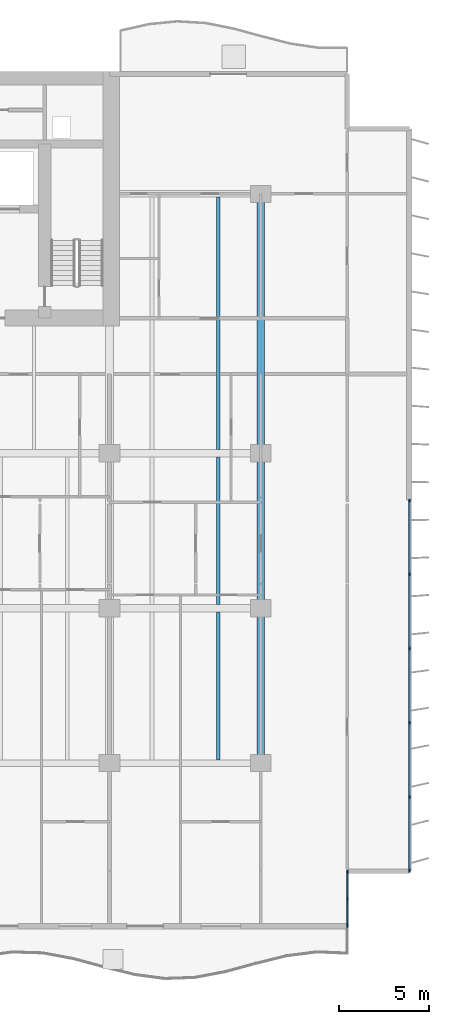
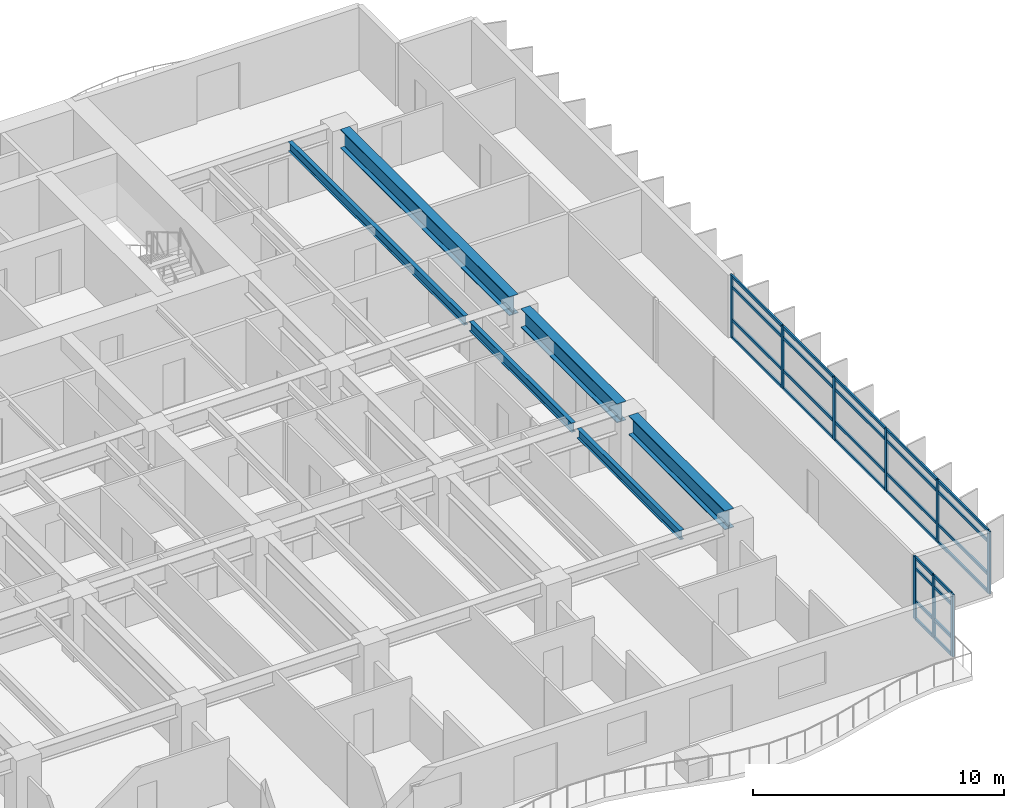
# One storey, part 4 of 18: 37 members, 6 beams, 2 elements without a shape of their own.
"""IFC4 building model written with IfcOpenShell, lengths in metres."""

from ifc_helpers import new_model, si_unit, direction, frame, origin, origin_2d, place, context, subcontext, project, spatial, rectangle, i_section, extrude, material, layer, layer_set, material_profile, profile_set, type_object, element, aggregate, save


model = new_model("IFC4")

# Units and contexts
model_context = context("Model", 3, precision=1e-05, world=origin(), true_north=direction((0.0, 1.0)))
body_context = subcontext(model_context, "Body", "Model", "MODEL_VIEW")
ifc_project = project(units=[si_unit("LENGTHUNIT", "METRE"), si_unit("AREAUNIT", "SQUARE_METRE"), si_unit("VOLUMEUNIT", "CUBIC_METRE"), si_unit("PLANEANGLEUNIT", "RADIAN"), si_unit("MASSUNIT", "GRAM", prefix="KILO")], contexts=[model_context])

# Site, building, storey
site_placement = place(None, origin())
site = spatial("IfcSite", under=ifc_project, at=site_placement, CompositionType="ELEMENT")
building_placement = place(site_placement, origin())
building = spatial("IfcBuilding", under=site, at=building_placement, Name="Caelmar Bay Residences", CompositionType="ELEMENT")
storey_placement = place(building_placement, frame((0.0, 0.0, 56.39990234375)))
storey = spatial("IfcBuildingStorey", under=building, at=storey_placement, Name="L14", CompositionType="ELEMENT", Elevation=56.39990234375)

# Beams
ifc_material_1 = material(Name="Steel ASTM A992 Grade 50", Category="steel")
ifc_material_profile_1 = material_profile(ifc_material_1, i_section(OverallWidth=0.422119140625, OverallDepth=0.925048828125, WebThickness=0.021240234375, FlangeThickness=0.03662109375, FilletRadius=0.020263671875, at=origin_2d()), Name="W36X262")
ifc_profile_set_1 = profile_set([ifc_material_profile_1], Name="Steel ASTM A992 Grade 50")
beam_type_1 = type_object("IfcBeamType", Name="BM-GRD-W36X262", PredefinedType="BEAM", material=ifc_profile_set_1)
beam_1_placement = place(storey_placement, frame((67.89990234375, 12.6650390625, 2.587646484375), z_axis=(0.0, 1.0, 0.0), x_axis=(-1.0, 0.0, 0.0)))
element("IfcBeam", 1, at=beam_1_placement, inside=storey, type_object=beam_type_1, Name="L14 North-South Girder X=67.90 (12.2-20.8)", PredefinedType="BEAM", context=body_context, shape_type="SweptSolid", body=[
    extrude(i_section(OverallWidth=0.422119140625, OverallDepth=0.925048828125, WebThickness=0.021240234375, FlangeThickness=0.03662109375, FilletRadius=0.020263671875, at=origin_2d()), origin(), (0.0, 0.0, 1.0), 7.669921875),
])
beam_2_placement = place(storey_placement, frame((67.89990234375, 21.264892578125, 2.587646484375), z_axis=(0.0, 1.0, 0.0), x_axis=(-1.0, 0.0, 0.0)))
element("IfcBeam", 2, at=beam_2_placement, inside=storey, type_object=beam_type_1, Name="L14 North-South Girder X=67.90 (20.8-29.4)", PredefinedType="BEAM", context=body_context, shape_type="SweptSolid", body=[
    extrude(i_section(OverallWidth=0.422119140625, OverallDepth=0.925048828125, WebThickness=0.021240234375, FlangeThickness=0.03662109375, FilletRadius=0.020263671875, at=origin_2d()), origin(), (0.0, 0.0, 1.0), 7.670166015625),
])
beam_3_placement = place(storey_placement, frame((67.89990234375, 29.864990234375, 2.587646484375), z_axis=(0.0, 1.0, 0.0), x_axis=(-1.0, 0.0, 0.0)))
element("IfcBeam", 3, at=beam_3_placement, inside=storey, type_object=beam_type_1, Name="L14 North-South Girder X=67.90 (29.4-43.8)", PredefinedType="BEAM", context=body_context, shape_type="SweptSolid", body=[
    extrude(i_section(OverallWidth=0.422119140625, OverallDepth=0.925048828125, WebThickness=0.021240234375, FlangeThickness=0.03662109375, FilletRadius=0.020263671875, at=origin_2d()), origin(), (0.0, 0.0, 1.0), 13.469970703125),
])
ifc_material_profile_2 = material_profile(ifc_material_1, i_section(OverallWidth=0.19091796875, OverallDepth=0.45703125, WebThickness=0.009033203125, FlangeThickness=0.014404296875, FilletRadius=0.01025390625, at=origin_2d()), Name="W18X50")
ifc_profile_set_2 = profile_set([ifc_material_profile_2], Name="Steel ASTM A992 Grade 50")
beam_type_2 = type_object("IfcBeamType", Name="BM-JST-W18X50", PredefinedType="JOIST", material=ifc_profile_set_2)
beam_4_placement = place(storey_placement, frame((65.548095703125, 12.3779296875, 2.821533203125), z_axis=(0.0, 1.0, 0.0), x_axis=(-1.0, 0.0, 0.0)))
element("IfcBeam", 4, at=beam_4_placement, inside=storey, type_object=beam_type_2, Name="L14 Composite Floor Joist 14", PredefinedType="JOIST", context=body_context, shape_type="SweptSolid", body=[
    extrude(i_section(OverallWidth=0.19091796875, OverallDepth=0.45703125, WebThickness=0.009033203125, FlangeThickness=0.014404296875, FilletRadius=0.01025390625, at=origin_2d()), origin(), (0.0, 0.0, 1.0), 8.211181640625),
])
beam_5_placement = place(storey_placement, frame((65.548095703125, 21.010986328125, 2.821533203125), z_axis=(0.0, 1.0, 0.0), x_axis=(-1.0, 0.0, 0.0)))
element("IfcBeam", 5, at=beam_5_placement, inside=storey, type_object=beam_type_2, Name="L14 Composite Floor Joist 28", PredefinedType="JOIST", context=body_context, shape_type="SweptSolid", body=[
    extrude(i_section(OverallWidth=0.19091796875, OverallDepth=0.45703125, WebThickness=0.009033203125, FlangeThickness=0.014404296875, FilletRadius=0.01025390625, at=origin_2d()), origin(), (0.0, 0.0, 1.0), 8.177978515625),
])
beam_6_placement = place(storey_placement, frame((65.548095703125, 29.611083984375, 2.821533203125), z_axis=(0.0, 1.0, 0.0), x_axis=(-1.0, 0.0, 0.0)))
element("IfcBeam", 6, at=beam_6_placement, inside=storey, type_object=beam_type_2, Name="L14 Composite Floor Joist 37", PredefinedType="JOIST", context=body_context, shape_type="SweptSolid", body=[
    extrude(i_section(OverallWidth=0.19091796875, OverallDepth=0.45703125, WebThickness=0.009033203125, FlangeThickness=0.014404296875, FilletRadius=0.01025390625, at=origin_2d()), origin(), (0.0, 0.0, 1.0), 14.010986328125),
])

# Curtain wall, members
ifc_material_2 = material(Name="Anodised bronze aluminium 6063-T6 and laminated glass", Category="aluminium")
ifc_layer_1 = layer(ifc_material_2, 0.179931640625)
ifc_layer_set_1 = layer_set([ifc_layer_1], Name="Anodised bronze aluminium 6063-T6 and laminated glass")
curtain_wall_type_1 = type_object("IfcCurtainWallType", Name="CW6-NTC", PredefinedType="NOTDEFINED", material=ifc_layer_set_1)
curtain_wall_1_placement = place(storey_placement, origin())
curtain_wall_1 = element("IfcCurtainWall", 7, at=curtain_wall_1_placement, inside=storey, type_object=curtain_wall_type_1, Name="CW6 curtain wall L14", PredefinedType="NOTDEFINED")
ifc_material_3 = material(Name="Anodised bronze aluminium 6063-T6", Category="aluminium")
ifc_material_profile_3 = material_profile(ifc_material_3, rectangle(XDim=0.080078125, YDim=0.179931640625, at=origin_2d()), Name="CWM-80X180")
ifc_profile_set_3 = profile_set([ifc_material_profile_3], Name="Anodised bronze aluminium 6063-T6")
member_type_1 = type_object("IfcMemberType", Name="CWM-180", PredefinedType="MULLION", material=ifc_profile_set_3)
member_1_placement = place(storey_placement, frame((72.699951171875, 3.18994140625, 0.0), z_axis=(0.0, 0.0, 1.0), x_axis=(-1.0, 0.0, 0.0)))
member_1 = element("IfcMember", 8, at=member_1_placement, type_object=member_type_1, Name="CW6 mullion 1", PredefinedType="MULLION", context=body_context, shape_type="SweptSolid", body=[
    extrude(rectangle(XDim=0.080078125, YDim=0.179931640625, at=origin_2d()), origin(), (0.0, 0.0, 1.0), 3.050048828125),
])
member_2_placement = place(storey_placement, frame((72.699951171875, 4.675048828125, 0.0), z_axis=(0.0, 0.0, 1.0), x_axis=(-1.0, 0.0, 0.0)))
member_2 = element("IfcMember", 9, at=member_2_placement, type_object=member_type_1, Name="CW6 mullion 2", PredefinedType="MULLION", context=body_context, shape_type="SweptSolid", body=[
    extrude(rectangle(XDim=0.080078125, YDim=0.179931640625, at=origin_2d()), origin(), (0.0, 0.0, 1.0), 3.050048828125),
])
member_3_placement = place(storey_placement, frame((72.699951171875, 6.159912109375, 0.0), z_axis=(0.0, 0.0, 1.0), x_axis=(-1.0, 0.0, 0.0)))
member_3 = element("IfcMember", 10, at=member_3_placement, type_object=member_type_1, Name="CW6 mullion 3", PredefinedType="MULLION", context=body_context, shape_type="SweptSolid", body=[
    extrude(rectangle(XDim=0.080078125, YDim=0.179931640625, at=origin_2d()), origin(), (0.0, 0.0, 1.0), 3.050048828125),
])

ifc_layer_2 = layer(ifc_material_2, 0.179931640625)
ifc_layer_set_2 = layer_set([ifc_layer_2], Name="Anodised bronze aluminium 6063-T6 and laminated glass")
curtain_wall_type_2 = type_object("IfcCurtainWallType", Name="CW2-Z1", PredefinedType="NOTDEFINED", material=ifc_layer_set_2)
curtain_wall_2_placement = place(storey_placement, origin())
curtain_wall_2 = element("IfcCurtainWall", 11, at=curtain_wall_2_placement, inside=storey, type_object=curtain_wall_type_2, Name="CW2 curtain wall L14", PredefinedType="NOTDEFINED")
member_4_placement = place(storey_placement, frame((76.14990234375, 26.760009765625, 0.0), z_axis=(0.0, 0.0, 1.0), x_axis=(1.0, 0.0, 0.0)))
member_4 = element("IfcMember", 12, at=member_4_placement, type_object=member_type_1, Name="CW2 mullion 1", PredefinedType="MULLION", context=body_context, shape_type="SweptSolid", body=[
    extrude(rectangle(XDim=0.080078125, YDim=0.179931640625, at=origin_2d()), origin(), (0.0, 0.0, 1.0), 3.050048828125),
])
member_5_placement = place(storey_placement, frame((76.14990234375, 22.679931640625, 0.0), z_axis=(0.0, 0.0, 1.0), x_axis=(1.0, 0.0, 0.0)))
member_5 = element("IfcMember", 13, at=member_5_placement, type_object=member_type_1, Name="CW2 mullion 2", PredefinedType="MULLION", context=body_context, shape_type="SweptSolid", body=[
    extrude(rectangle(XDim=0.080078125, YDim=0.179931640625, at=origin_2d()), origin(), (0.0, 0.0, 1.0), 3.050048828125),
])
member_6_placement = place(storey_placement, frame((76.14990234375, 18.56005859375, 0.0), z_axis=(0.0, 0.0, 1.0), x_axis=(1.0, 0.0, 0.0)))
member_6 = element("IfcMember", 14, at=member_6_placement, type_object=member_type_1, Name="CW2 mullion 3", PredefinedType="MULLION", context=body_context, shape_type="SweptSolid", body=[
    extrude(rectangle(XDim=0.080078125, YDim=0.179931640625, at=origin_2d()), origin(), (0.0, 0.0, 1.0), 3.050048828125),
])
member_7_placement = place(storey_placement, frame((76.14990234375, 14.43994140625, 0.0), z_axis=(0.0, 0.0, 1.0), x_axis=(1.0, 0.0, 0.0)))
member_7 = element("IfcMember", 15, at=member_7_placement, type_object=member_type_1, Name="CW2 mullion 4", PredefinedType="MULLION", context=body_context, shape_type="SweptSolid", body=[
    extrude(rectangle(XDim=0.080078125, YDim=0.179931640625, at=origin_2d()), origin(), (0.0, 0.0, 1.0), 3.050048828125),
])
member_8_placement = place(storey_placement, frame((76.14990234375, 10.320068359375, 0.0), z_axis=(0.0, 0.0, 1.0), x_axis=(1.0, 0.0, 0.0)))
member_8 = element("IfcMember", 16, at=member_8_placement, type_object=member_type_1, Name="CW2 mullion 5", PredefinedType="MULLION", context=body_context, shape_type="SweptSolid", body=[
    extrude(rectangle(XDim=0.080078125, YDim=0.179931640625, at=origin_2d()), origin(), (0.0, 0.0, 1.0), 3.050048828125),
])
member_9_placement = place(storey_placement, frame((76.14990234375, 6.239990234375, 0.0), z_axis=(0.0, 0.0, 1.0), x_axis=(1.0, 0.0, 0.0)))
member_9 = element("IfcMember", 17, at=member_9_placement, type_object=member_type_1, Name="CW2 mullion 6", PredefinedType="MULLION", context=body_context, shape_type="SweptSolid", body=[
    extrude(rectangle(XDim=0.080078125, YDim=0.179931640625, at=origin_2d()), origin(), (0.0, 0.0, 1.0), 3.050048828125),
])

# Member
ifc_material_profile_4 = material_profile(ifc_material_3, rectangle(XDim=0.080078125, YDim=0.139892578125, at=origin_2d()), Name="CWT-80X140")
ifc_profile_set_4 = profile_set([ifc_material_profile_4], Name="Anodised bronze aluminium 6063-T6")
member_type_2 = type_object("IfcMemberType", Name="CWT-140", PredefinedType="NOTDEFINED", material=ifc_profile_set_4)
member_10_placement = place(storey_placement, frame((72.699951171875, 3.22998046875, 0.0400390625), z_axis=(0.0, 1.0, 0.0), x_axis=(-1.0, 0.0, 0.0)))
member_10 = element("IfcMember", 18, at=member_10_placement, type_object=member_type_2, Name="CW6 transom 1.1", ObjectType="TRANSOM", PredefinedType="USERDEFINED", context=body_context, shape_type="SweptSolid", body=[
    extrude(rectangle(XDim=0.080078125, YDim=0.139892578125, at=origin_2d()), origin(), (0.0, 0.0, 1.0), 1.405029296875),
])

member_11_placement = place(storey_placement, frame((72.699951171875, 3.22998046875, 0.900146484375), z_axis=(0.0, 1.0, 0.0), x_axis=(-1.0, 0.0, 0.0)))
member_11 = element("IfcMember", 19, at=member_11_placement, type_object=member_type_2, Name="CW6 transom 1.2", ObjectType="TRANSOM", PredefinedType="USERDEFINED", context=body_context, shape_type="SweptSolid", body=[
    extrude(rectangle(XDim=0.080078125, YDim=0.139892578125, at=origin_2d()), origin(), (0.0, 0.0, 1.0), 1.405029296875),
])

member_12_placement = place(storey_placement, frame((72.699951171875, 3.22998046875, 2.5), z_axis=(0.0, 1.0, 0.0), x_axis=(-1.0, 0.0, 0.0)))
member_12 = element("IfcMember", 20, at=member_12_placement, type_object=member_type_2, Name="CW6 transom 1.3", ObjectType="TRANSOM", PredefinedType="USERDEFINED", context=body_context, shape_type="SweptSolid", body=[
    extrude(rectangle(XDim=0.080078125, YDim=0.139892578125, at=origin_2d()), origin(), (0.0, 0.0, 1.0), 1.405029296875),
])

member_13_placement = place(storey_placement, frame((72.699951171875, 3.22998046875, 3.010009765625), z_axis=(0.0, 1.0, 0.0), x_axis=(-1.0, 0.0, 0.0)))
member_13 = element("IfcMember", 21, at=member_13_placement, type_object=member_type_2, Name="CW6 transom 1.4", ObjectType="TRANSOM", PredefinedType="USERDEFINED", context=body_context, shape_type="SweptSolid", body=[
    extrude(rectangle(XDim=0.080078125, YDim=0.139892578125, at=origin_2d()), origin(), (0.0, 0.0, 1.0), 1.405029296875),
])

member_14_placement = place(storey_placement, frame((72.699951171875, 4.715087890625, 0.0400390625), z_axis=(0.0, 1.0, 0.0), x_axis=(-1.0, 0.0, 0.0)))
member_14 = element("IfcMember", 22, at=member_14_placement, type_object=member_type_2, Name="CW6 transom 2.1", ObjectType="TRANSOM", PredefinedType="USERDEFINED", context=body_context, shape_type="SweptSolid", body=[
    extrude(rectangle(XDim=0.080078125, YDim=0.139892578125, at=origin_2d()), origin(), (0.0, 0.0, 1.0), 1.405029296875),
])

member_15_placement = place(storey_placement, frame((72.699951171875, 4.715087890625, 0.900146484375), z_axis=(0.0, 1.0, 0.0), x_axis=(-1.0, 0.0, 0.0)))
member_15 = element("IfcMember", 23, at=member_15_placement, type_object=member_type_2, Name="CW6 transom 2.2", ObjectType="TRANSOM", PredefinedType="USERDEFINED", context=body_context, shape_type="SweptSolid", body=[
    extrude(rectangle(XDim=0.080078125, YDim=0.139892578125, at=origin_2d()), origin(), (0.0, 0.0, 1.0), 1.405029296875),
])

member_16_placement = place(storey_placement, frame((72.699951171875, 4.715087890625, 2.5), z_axis=(0.0, 1.0, 0.0), x_axis=(-1.0, 0.0, 0.0)))
member_16 = element("IfcMember", 24, at=member_16_placement, type_object=member_type_2, Name="CW6 transom 2.3", ObjectType="TRANSOM", PredefinedType="USERDEFINED", context=body_context, shape_type="SweptSolid", body=[
    extrude(rectangle(XDim=0.080078125, YDim=0.139892578125, at=origin_2d()), origin(), (0.0, 0.0, 1.0), 1.405029296875),
])

member_17_placement = place(storey_placement, frame((72.699951171875, 4.715087890625, 3.010009765625), z_axis=(0.0, 1.0, 0.0), x_axis=(-1.0, 0.0, 0.0)))
member_17 = element("IfcMember", 25, at=member_17_placement, type_object=member_type_2, Name="CW6 transom 2.4", ObjectType="TRANSOM", PredefinedType="USERDEFINED", context=body_context, shape_type="SweptSolid", body=[
    extrude(rectangle(XDim=0.080078125, YDim=0.139892578125, at=origin_2d()), origin(), (0.0, 0.0, 1.0), 1.405029296875),
])

aggregate(curtain_wall_1, [member_1, member_2, member_3, member_10, member_11, member_12, member_13, member_14, member_15, member_16, member_17])

member_18_placement = place(storey_placement, frame((76.14990234375, 26.719970703125, 0.0400390625), z_axis=(0.0, -1.0, 0.0), x_axis=(1.0, 0.0, 0.0)))
member_18 = element("IfcMember", 26, at=member_18_placement, type_object=member_type_2, Name="CW2 transom 1.1", ObjectType="TRANSOM", PredefinedType="USERDEFINED", context=body_context, shape_type="SweptSolid", body=[
    extrude(rectangle(XDim=0.080078125, YDim=0.139892578125, at=origin_2d()), origin(), (0.0, 0.0, 1.0), 4.0),
])

member_19_placement = place(storey_placement, frame((76.14990234375, 26.719970703125, 0.900146484375), z_axis=(0.0, -1.0, 0.0), x_axis=(1.0, 0.0, 0.0)))
member_19 = element("IfcMember", 27, at=member_19_placement, type_object=member_type_2, Name="CW2 transom 1.2", ObjectType="TRANSOM", PredefinedType="USERDEFINED", context=body_context, shape_type="SweptSolid", body=[
    extrude(rectangle(XDim=0.080078125, YDim=0.139892578125, at=origin_2d()), origin(), (0.0, 0.0, 1.0), 4.0),
])

member_20_placement = place(storey_placement, frame((76.14990234375, 26.719970703125, 2.5), z_axis=(0.0, -1.0, 0.0), x_axis=(1.0, 0.0, 0.0)))
member_20 = element("IfcMember", 28, at=member_20_placement, type_object=member_type_2, Name="CW2 transom 1.3", ObjectType="TRANSOM", PredefinedType="USERDEFINED", context=body_context, shape_type="SweptSolid", body=[
    extrude(rectangle(XDim=0.080078125, YDim=0.139892578125, at=origin_2d()), origin(), (0.0, 0.0, 1.0), 4.0),
])

member_21_placement = place(storey_placement, frame((76.14990234375, 26.719970703125, 3.010009765625), z_axis=(0.0, -1.0, 0.0), x_axis=(1.0, 0.0, 0.0)))
member_21 = element("IfcMember", 29, at=member_21_placement, type_object=member_type_2, Name="CW2 transom 1.4", ObjectType="TRANSOM", PredefinedType="USERDEFINED", context=body_context, shape_type="SweptSolid", body=[
    extrude(rectangle(XDim=0.080078125, YDim=0.139892578125, at=origin_2d()), origin(), (0.0, 0.0, 1.0), 4.0),
])

member_22_placement = place(storey_placement, frame((76.14990234375, 22.639892578125, 0.0400390625), z_axis=(0.0, -1.0, 0.0), x_axis=(1.0, 0.0, 0.0)))
member_22 = element("IfcMember", 30, at=member_22_placement, type_object=member_type_2, Name="CW2 transom 2.1", ObjectType="TRANSOM", PredefinedType="USERDEFINED", context=body_context, shape_type="SweptSolid", body=[
    extrude(rectangle(XDim=0.080078125, YDim=0.139892578125, at=origin_2d()), origin(), (0.0, 0.0, 1.0), 4.039794921875),
])

member_23_placement = place(storey_placement, frame((76.14990234375, 22.639892578125, 0.900146484375), z_axis=(0.0, -1.0, 0.0), x_axis=(1.0, 0.0, 0.0)))
member_23 = element("IfcMember", 31, at=member_23_placement, type_object=member_type_2, Name="CW2 transom 2.2", ObjectType="TRANSOM", PredefinedType="USERDEFINED", context=body_context, shape_type="SweptSolid", body=[
    extrude(rectangle(XDim=0.080078125, YDim=0.139892578125, at=origin_2d()), origin(), (0.0, 0.0, 1.0), 4.039794921875),
])

member_24_placement = place(storey_placement, frame((76.14990234375, 22.639892578125, 2.5), z_axis=(0.0, -1.0, 0.0), x_axis=(1.0, 0.0, 0.0)))
member_24 = element("IfcMember", 32, at=member_24_placement, type_object=member_type_2, Name="CW2 transom 2.3", ObjectType="TRANSOM", PredefinedType="USERDEFINED", context=body_context, shape_type="SweptSolid", body=[
    extrude(rectangle(XDim=0.080078125, YDim=0.139892578125, at=origin_2d()), origin(), (0.0, 0.0, 1.0), 4.039794921875),
])

member_25_placement = place(storey_placement, frame((76.14990234375, 22.639892578125, 3.010009765625), z_axis=(0.0, -1.0, 0.0), x_axis=(1.0, 0.0, 0.0)))
member_25 = element("IfcMember", 33, at=member_25_placement, type_object=member_type_2, Name="CW2 transom 2.4", ObjectType="TRANSOM", PredefinedType="USERDEFINED", context=body_context, shape_type="SweptSolid", body=[
    extrude(rectangle(XDim=0.080078125, YDim=0.139892578125, at=origin_2d()), origin(), (0.0, 0.0, 1.0), 4.039794921875),
])

member_26_placement = place(storey_placement, frame((76.14990234375, 18.52001953125, 0.0400390625), z_axis=(0.0, -1.0, 0.0), x_axis=(1.0, 0.0, 0.0)))
member_26 = element("IfcMember", 34, at=member_26_placement, type_object=member_type_2, Name="CW2 transom 3.1", ObjectType="TRANSOM", PredefinedType="USERDEFINED", context=body_context, shape_type="SweptSolid", body=[
    extrude(rectangle(XDim=0.080078125, YDim=0.139892578125, at=origin_2d()), origin(), (0.0, 0.0, 1.0), 4.0400390625),
])

member_27_placement = place(storey_placement, frame((76.14990234375, 18.52001953125, 0.900146484375), z_axis=(0.0, -1.0, 0.0), x_axis=(1.0, 0.0, 0.0)))
member_27 = element("IfcMember", 35, at=member_27_placement, type_object=member_type_2, Name="CW2 transom 3.2", ObjectType="TRANSOM", PredefinedType="USERDEFINED", context=body_context, shape_type="SweptSolid", body=[
    extrude(rectangle(XDim=0.080078125, YDim=0.139892578125, at=origin_2d()), origin(), (0.0, 0.0, 1.0), 4.0400390625),
])

member_28_placement = place(storey_placement, frame((76.14990234375, 18.52001953125, 2.5), z_axis=(0.0, -1.0, 0.0), x_axis=(1.0, 0.0, 0.0)))
member_28 = element("IfcMember", 36, at=member_28_placement, type_object=member_type_2, Name="CW2 transom 3.3", ObjectType="TRANSOM", PredefinedType="USERDEFINED", context=body_context, shape_type="SweptSolid", body=[
    extrude(rectangle(XDim=0.080078125, YDim=0.139892578125, at=origin_2d()), origin(), (0.0, 0.0, 1.0), 4.0400390625),
])

member_29_placement = place(storey_placement, frame((76.14990234375, 18.52001953125, 3.010009765625), z_axis=(0.0, -1.0, 0.0), x_axis=(1.0, 0.0, 0.0)))
member_29 = element("IfcMember", 37, at=member_29_placement, type_object=member_type_2, Name="CW2 transom 3.4", ObjectType="TRANSOM", PredefinedType="USERDEFINED", context=body_context, shape_type="SweptSolid", body=[
    extrude(rectangle(XDim=0.080078125, YDim=0.139892578125, at=origin_2d()), origin(), (0.0, 0.0, 1.0), 4.0400390625),
])

member_30_placement = place(storey_placement, frame((76.14990234375, 14.39990234375, 0.0400390625), z_axis=(0.0, -1.0, 0.0), x_axis=(1.0, 0.0, 0.0)))
member_30 = element("IfcMember", 38, at=member_30_placement, type_object=member_type_2, Name="CW2 transom 4.1", ObjectType="TRANSOM", PredefinedType="USERDEFINED", context=body_context, shape_type="SweptSolid", body=[
    extrude(rectangle(XDim=0.080078125, YDim=0.139892578125, at=origin_2d()), origin(), (0.0, 0.0, 1.0), 4.039794921875),
])

member_31_placement = place(storey_placement, frame((76.14990234375, 14.39990234375, 0.900146484375), z_axis=(0.0, -1.0, 0.0), x_axis=(1.0, 0.0, 0.0)))
member_31 = element("IfcMember", 39, at=member_31_placement, type_object=member_type_2, Name="CW2 transom 4.2", ObjectType="TRANSOM", PredefinedType="USERDEFINED", context=body_context, shape_type="SweptSolid", body=[
    extrude(rectangle(XDim=0.080078125, YDim=0.139892578125, at=origin_2d()), origin(), (0.0, 0.0, 1.0), 4.039794921875),
])

member_32_placement = place(storey_placement, frame((76.14990234375, 14.39990234375, 2.5), z_axis=(0.0, -1.0, 0.0), x_axis=(1.0, 0.0, 0.0)))
member_32 = element("IfcMember", 40, at=member_32_placement, type_object=member_type_2, Name="CW2 transom 4.3", ObjectType="TRANSOM", PredefinedType="USERDEFINED", context=body_context, shape_type="SweptSolid", body=[
    extrude(rectangle(XDim=0.080078125, YDim=0.139892578125, at=origin_2d()), origin(), (0.0, 0.0, 1.0), 4.039794921875),
])

member_33_placement = place(storey_placement, frame((76.14990234375, 14.39990234375, 3.010009765625), z_axis=(0.0, -1.0, 0.0), x_axis=(1.0, 0.0, 0.0)))
member_33 = element("IfcMember", 41, at=member_33_placement, type_object=member_type_2, Name="CW2 transom 4.4", ObjectType="TRANSOM", PredefinedType="USERDEFINED", context=body_context, shape_type="SweptSolid", body=[
    extrude(rectangle(XDim=0.080078125, YDim=0.139892578125, at=origin_2d()), origin(), (0.0, 0.0, 1.0), 4.039794921875),
])

member_34_placement = place(storey_placement, frame((76.14990234375, 10.280029296875, 0.0400390625), z_axis=(0.0, -1.0, 0.0), x_axis=(1.0, 0.0, 0.0)))
member_34 = element("IfcMember", 42, at=member_34_placement, type_object=member_type_2, Name="CW2 transom 5.1", ObjectType="TRANSOM", PredefinedType="USERDEFINED", context=body_context, shape_type="SweptSolid", body=[
    extrude(rectangle(XDim=0.080078125, YDim=0.139892578125, at=origin_2d()), origin(), (0.0, 0.0, 1.0), 4.0),
])

member_35_placement = place(storey_placement, frame((76.14990234375, 10.280029296875, 0.900146484375), z_axis=(0.0, -1.0, 0.0), x_axis=(1.0, 0.0, 0.0)))
member_35 = element("IfcMember", 43, at=member_35_placement, type_object=member_type_2, Name="CW2 transom 5.2", ObjectType="TRANSOM", PredefinedType="USERDEFINED", context=body_context, shape_type="SweptSolid", body=[
    extrude(rectangle(XDim=0.080078125, YDim=0.139892578125, at=origin_2d()), origin(), (0.0, 0.0, 1.0), 4.0),
])

member_36_placement = place(storey_placement, frame((76.14990234375, 10.280029296875, 2.5), z_axis=(0.0, -1.0, 0.0), x_axis=(1.0, 0.0, 0.0)))
member_36 = element("IfcMember", 44, at=member_36_placement, type_object=member_type_2, Name="CW2 transom 5.3", ObjectType="TRANSOM", PredefinedType="USERDEFINED", context=body_context, shape_type="SweptSolid", body=[
    extrude(rectangle(XDim=0.080078125, YDim=0.139892578125, at=origin_2d()), origin(), (0.0, 0.0, 1.0), 4.0),
])

member_37_placement = place(storey_placement, frame((76.14990234375, 10.280029296875, 3.010009765625), z_axis=(0.0, -1.0, 0.0), x_axis=(1.0, 0.0, 0.0)))
member_37 = element("IfcMember", 45, at=member_37_placement, type_object=member_type_2, Name="CW2 transom 5.4", ObjectType="TRANSOM", PredefinedType="USERDEFINED", context=body_context, shape_type="SweptSolid", body=[
    extrude(rectangle(XDim=0.080078125, YDim=0.139892578125, at=origin_2d()), origin(), (0.0, 0.0, 1.0), 4.0),
])

aggregate(curtain_wall_2, [member_4, member_5, member_6, member_7, member_8, member_9, member_18, member_19, member_20, member_21, member_22, member_23, member_24, member_25, member_26, member_27, member_28, member_29, member_30, member_31, member_32, member_33, member_34, member_35, member_36, member_37])

save(model, "model.ifc")
